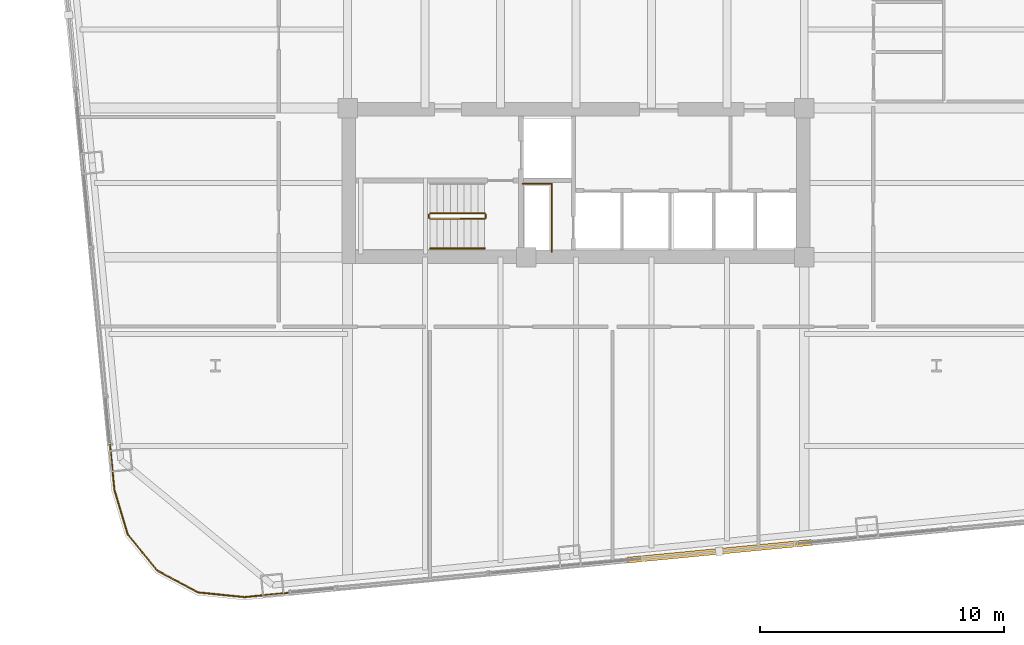
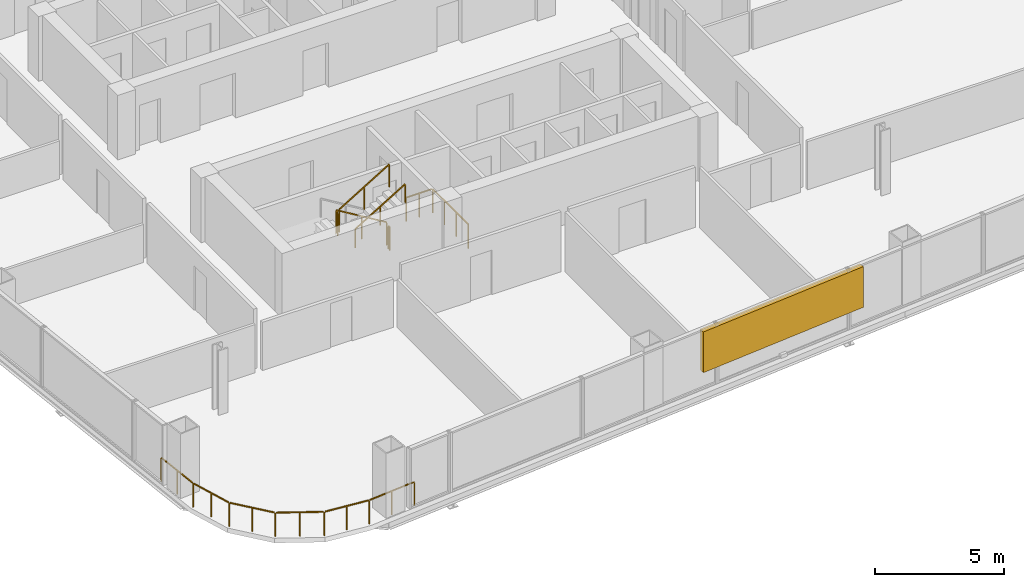
# One storey, part 26 of 28: 7 railings, 1 shading device.
"""IFC4 building model written with IfcOpenShell, lengths in metres."""

from ifc_helpers import new_model, si_unit, direction, frame, origin, origin_2d, place, context, subcontext, project, spatial, rectangle, extrude, material, type_object, element, save


model = new_model("IFC4")

# Units and contexts
model_context = context("Model", 3, precision=1e-05, world=origin(), true_north=direction((0.0, 1.0)))
body_context = subcontext(model_context, "Body", "Model", "MODEL_VIEW")
ifc_project = project(units=[si_unit("LENGTHUNIT", "METRE"), si_unit("AREAUNIT", "SQUARE_METRE"), si_unit("VOLUMEUNIT", "CUBIC_METRE"), si_unit("PLANEANGLEUNIT", "RADIAN"), si_unit("MASSUNIT", "GRAM", prefix="KILO")], contexts=[model_context])

# Site, building, storey
site_placement = place(None, origin())
site = spatial("IfcSite", under=ifc_project, at=site_placement, CompositionType="ELEMENT")
building_placement = place(site_placement, origin())
building = spatial("IfcBuilding", under=site, at=building_placement, Name="Qhalaya Broadcast Tower", CompositionType="ELEMENT")
storey_placement = place(building_placement, frame((0.0, 0.0, 90.800048828125)))
storey = spatial("IfcBuildingStorey", under=building, at=storey_placement, Name="L26", CompositionType="ELEMENT", Elevation=90.800048828125)

# Railings
ifc_material_1 = material(Name="Powder-Coated Galvanised Steel", Category="steel")
railing_type_1 = type_object("IfcRailingType", Name="Stair Wall Handrail 900", PredefinedType="HANDRAIL", material=ifc_material_1)
railing_1_placement = place(storey_placement, frame((-5.989990234375, -8.389892578125, 1.6943359375)))
element("IfcRailing", 1, at=railing_1_placement, inside=storey, type_object=railing_type_1, Name="L26 ST-2 Stair Handrail 2", PredefinedType="HANDRAIL", context=body_context, shape_type="SweptSolid", body=[
    extrude(rectangle(XDim=0.048095703125, YDim=0.048095703125, at=origin_2d()), frame((0.0, 0.0, 0.8759765625), z_axis=(0.855512035549, 0.0, 0.517782924622), x_axis=(0.0, 1.0, 0.0)), (0.0, 0.0, 1.0), 2.618408203125),
    extrude(rectangle(XDim=0.0419921875, YDim=0.0419921875, at=origin_2d()), origin(), (0.0, 0.0, 1.0), 0.849853515625),
    extrude(rectangle(XDim=0.0419921875, YDim=0.0419921875, at=origin_2d()), frame((1.1201171875, 0.0, 0.677734375)), (0.0, 0.0, 1.0), 0.849853515625),
    extrude(rectangle(XDim=0.0419921875, YDim=0.0419921875, at=origin_2d()), frame((2.239990234375, 0.0, 1.355712890625)), (0.0, 0.0, 1.0), 0.849853515625),
])
railing_type_2 = type_object("IfcRailingType", Name="Stair Well & Landing Guardrail 1100", PredefinedType="GUARDRAIL", material=ifc_material_1)
railing_2_placement = place(storey_placement, frame((-1.0, -8.52001953125, 0.0)))
element("IfcRailing", 2, at=railing_2_placement, inside=storey, type_object=railing_type_2, Name="L26 Service Riser Opening Safety Guard SRSR", PredefinedType="GUARDRAIL", context=body_context, shape_type="SweptSolid", body=[
    extrude(rectangle(XDim=0.048095703125, YDim=0.048095703125, at=origin_2d()), frame((0.0, 0.0, 1.1259765625), z_axis=(0.0, 1.0, 0.0), x_axis=(-1.0, 0.0, 0.0)), (0.0, 0.0, 1.0), 2.751220703125),
    extrude(rectangle(XDim=0.048095703125, YDim=0.048095703125, at=origin_2d()), frame((-0.02880859375, 2.780029296875, 1.1259765625), z_axis=(-1.0, 0.0, 0.0), x_axis=(0.0, -1.0, 0.0)), (0.0, 0.0, 1.0), 1.151123046875),
    extrude(rectangle(XDim=0.0419921875, YDim=0.0419921875, at=origin_2d()), origin(), (0.0, 0.0, 1.0), 1.099853515625),
    extrude(rectangle(XDim=0.0419921875, YDim=0.0419921875, at=origin_2d()), frame((0.0, 0.9267578125, 0.0)), (0.0, 0.0, 1.0), 1.099853515625),
    extrude(rectangle(XDim=0.0419921875, YDim=0.0419921875, at=origin_2d()), frame((0.0, 1.853271484375, 0.0)), (0.0, 0.0, 1.0), 1.099853515625),
    extrude(rectangle(XDim=0.0419921875, YDim=0.0419921875, at=origin_2d()), frame((0.0, 2.780029296875, 0.0)), (0.0, 0.0, 1.0), 1.099853515625),
    extrude(rectangle(XDim=0.0419921875, YDim=0.0419921875, at=origin_2d()), frame((-0.58984375, 2.780029296875, 0.0)), (0.0, 0.0, 1.0), 1.099853515625),
    extrude(rectangle(XDim=0.0419921875, YDim=0.0419921875, at=origin_2d()), frame((-1.179931640625, 2.780029296875, 0.0)), (0.0, 0.0, 1.0), 1.099853515625),
])
railing_3_placement = place(storey_placement, frame((-3.75, -6.949951171875, 0.16943359375)))
element("IfcRailing", 3, at=railing_3_placement, inside=storey, type_object=railing_type_2, Name="L26 ST-2 Stair Guard 1", PredefinedType="GUARDRAIL", context=body_context, shape_type="SweptSolid", body=[
    extrude(rectangle(XDim=0.048095703125, YDim=0.048095703125, at=origin_2d()), frame((0.0, 0.0, 1.076171875), z_axis=(-0.855553338991, 0.0, 0.51771467445), x_axis=(0.0, -1.0, 0.0)), (0.0, 0.0, 1.0), 2.6181640625),
    extrude(rectangle(XDim=0.0419921875, YDim=0.0419921875, at=origin_2d()), origin(), (0.0, 0.0, 1.0), 1.050048828125),
    extrude(rectangle(XDim=0.0419921875, YDim=0.0419921875, at=origin_2d()), frame((-1.1201171875, 0.0, 0.677734375)), (0.0, 0.0, 1.0), 1.050048828125),
    extrude(rectangle(XDim=0.0419921875, YDim=0.0419921875, at=origin_2d()), frame((-2.239990234375, 0.0, 1.35546875)), (0.0, 0.0, 1.0), 1.050048828125),
])
railing_4_placement = place(storey_placement, frame((-6.0400390625, -7.0, 1.52490234375)))
element("IfcRailing", 4, at=railing_4_placement, inside=storey, type_object=railing_type_2, Name="L26 ST-2 Stair Guard 2", PredefinedType="GUARDRAIL", context=body_context, shape_type="SweptSolid", body=[
    extrude(rectangle(XDim=0.048095703125, YDim=0.048095703125, at=origin_2d()), frame((0.0, 0.0, 1.076171875), z_axis=(0.0, -1.0, 0.0), x_axis=(1.0, 0.0, 0.0)), (0.0, 0.0, 1.0), 0.1201171875),
    extrude(rectangle(XDim=0.0419921875, YDim=0.0419921875, at=origin_2d()), origin(), (0.0, 0.0, 1.0), 1.050048828125),
    extrude(rectangle(XDim=0.0419921875, YDim=0.0419921875, at=origin_2d()), frame((0.0, -0.1201171875, 0.0)), (0.0, 0.0, 1.0), 1.050048828125),
])
railing_5_placement = place(storey_placement, frame((-5.989990234375, -7.169921875, 1.6943359375)))
element("IfcRailing", 5, at=railing_5_placement, inside=storey, type_object=railing_type_2, Name="L26 ST-2 Stair Guard 3", PredefinedType="GUARDRAIL", context=body_context, shape_type="SweptSolid", body=[
    extrude(rectangle(XDim=0.048095703125, YDim=0.048095703125, at=origin_2d()), frame((0.0, 0.0, 1.076171875), z_axis=(0.855512035549, 0.0, 0.517782924622), x_axis=(0.0, 1.0, 0.0)), (0.0, 0.0, 1.0), 2.618408203125),
    extrude(rectangle(XDim=0.0419921875, YDim=0.0419921875, at=origin_2d()), origin(), (0.0, 0.0, 1.0), 1.050048828125),
    extrude(rectangle(XDim=0.0419921875, YDim=0.0419921875, at=origin_2d()), frame((1.1201171875, 0.0, 0.677734375)), (0.0, 0.0, 1.0), 1.050048828125),
    extrude(rectangle(XDim=0.0419921875, YDim=0.0419921875, at=origin_2d()), frame((2.239990234375, 0.0, 1.355712890625)), (0.0, 0.0, 1.0), 1.050048828125),
])
railing_6_placement = place(storey_placement, frame((-3.699951171875, -7.0, 0.0)))
element("IfcRailing", 6, at=railing_6_placement, inside=storey, type_object=railing_type_2, Name="L26 ST-2 Stair Guard 4", PredefinedType="GUARDRAIL", context=body_context, shape_type="SweptSolid", body=[
    extrude(rectangle(XDim=0.048095703125, YDim=0.048095703125, at=origin_2d()), frame((0.0, 0.0, 1.076171875), z_axis=(0.0, -1.0, 0.0), x_axis=(1.0, 0.0, 0.0)), (0.0, 0.0, 1.0), 0.1201171875),
    extrude(rectangle(XDim=0.0419921875, YDim=0.0419921875, at=origin_2d()), origin(), (0.0, 0.0, 1.0), 1.050048828125),
    extrude(rectangle(XDim=0.0419921875, YDim=0.0419921875, at=origin_2d()), frame((0.0, -0.1201171875, 0.0)), (0.0, 0.0, 1.0), 1.050048828125),
])
railing_type_3 = type_object("IfcRailingType", Name="Terrace, Sky-Pool & Lookout Glass Balustrade 1150", PredefinedType="BALUSTRADE", material=ifc_material_1)
railing_7_placement = place(storey_placement, frame((-11.50341796875, -22.501708984375, 0.0)))
element("IfcRailing", 7, at=railing_7_placement, inside=storey, type_object=railing_type_3, Name="L26 Rounded Corner Perimeter Guard 02", PredefinedType="BALUSTRADE", context=body_context, shape_type="SweptSolid", body=[
    extrude(rectangle(XDim=0.048095703125, YDim=0.048095703125, at=origin_2d()), frame((0.0, 0.0, 1.1259765625), z_axis=(-0.995402268864, -0.095782687057, 0.0), x_axis=(0.095782687057, -0.995402268864, 0.0)), (0.0, 0.0, 1.0), 2.08935546875),
    extrude(rectangle(XDim=0.048095703125, YDim=0.048095703125, at=origin_2d()), frame((-2.13720703125, -0.199951171875, 1.1259765625), z_axis=(-0.994978953282, 0.100084377028, 0.0), x_axis=(-0.100084377028, -0.994978953282, 0.0)), (0.0, 0.0, 1.0), 1.857177734375),
    extrude(rectangle(XDim=0.048095703125, YDim=0.048095703125, at=origin_2d()), frame((-4.0390625, 0.00244140625, 1.1259765625), z_axis=(-0.880907290044, 0.473288861424, 0.0), x_axis=(-0.473288861424, -0.880907290044, 0.0)), (0.0, 0.0, 1.0), 1.845703125),
    extrude(rectangle(XDim=0.048095703125, YDim=0.048095703125, at=origin_2d()), frame((-5.708740234375, 0.912109375, 1.1259765625), z_axis=(-0.632671796541, 0.774420039683, 0.0), x_axis=(-0.774420039683, -0.632671796541, 0.0)), (0.0, 0.0, 1.0), 1.845458984375),
    extrude(rectangle(XDim=0.048095703125, YDim=0.048095703125, at=origin_2d()), frame((-6.90283203125, 2.39111328125, 1.1259765625), z_axis=(-0.288213171456, 0.95756627332, 0.0), x_axis=(-0.95756627332, -0.288213171456, 0.0)), (0.0, 0.0, 1.0), 1.857421875),
    extrude(rectangle(XDim=0.048095703125, YDim=0.048095703125, at=origin_2d()), frame((-7.44921875, 4.226318359375, 1.1259765625), z_axis=(-0.095782687057, 0.995402268864, 0.0), x_axis=(-0.995402268864, -0.095782687057, 0.0)), (0.0, 0.0, 1.0), 2.08935546875),
    extrude(rectangle(XDim=0.0419921875, YDim=0.0419921875, at=origin_2d()), origin(), (0.0, 0.0, 1.0), 1.099853515625),
    extrude(rectangle(XDim=0.0419921875, YDim=0.0419921875, at=origin_2d()), frame((-1.05419921875, -0.1015625, 0.0)), (0.0, 0.0, 1.0), 1.099853515625),
    extrude(rectangle(XDim=0.0419921875, YDim=0.0419921875, at=origin_2d()), frame((-2.1083984375, -0.202880859375, 0.0)), (0.0, 0.0, 1.0), 1.099853515625),
    extrude(rectangle(XDim=0.0419921875, YDim=0.0419921875, at=origin_2d()), frame((-3.06103515625, -0.10693359375, 0.0)), (0.0, 0.0, 1.0), 1.099853515625),
    extrude(rectangle(XDim=0.0419921875, YDim=0.0419921875, at=origin_2d()), frame((-4.013671875, -0.01123046875, 0.0)), (0.0, 0.0, 1.0), 1.099853515625),
    extrude(rectangle(XDim=0.0419921875, YDim=0.0419921875, at=origin_2d()), frame((-4.85205078125, 0.439208984375, 0.0)), (0.0, 0.0, 1.0), 1.099853515625),
    extrude(rectangle(XDim=0.0419921875, YDim=0.0419921875, at=origin_2d()), frame((-5.6904296875, 0.8896484375, 0.0)), (0.0, 0.0, 1.0), 1.099853515625),
    extrude(rectangle(XDim=0.0419921875, YDim=0.0419921875, at=origin_2d()), frame((-6.29248046875, 1.62646484375, 0.0)), (0.0, 0.0, 1.0), 1.099853515625),
    extrude(rectangle(XDim=0.0419921875, YDim=0.0419921875, at=origin_2d()), frame((-6.89453125, 2.363525390625, 0.0)), (0.0, 0.0, 1.0), 1.099853515625),
    extrude(rectangle(XDim=0.0419921875, YDim=0.0419921875, at=origin_2d()), frame((-7.17041015625, 3.280517578125, 0.0)), (0.0, 0.0, 1.0), 1.099853515625),
    extrude(rectangle(XDim=0.0419921875, YDim=0.0419921875, at=origin_2d()), frame((-7.446533203125, 4.197509765625, 0.0)), (0.0, 0.0, 1.0), 1.099853515625),
    extrude(rectangle(XDim=0.0419921875, YDim=0.0419921875, at=origin_2d()), frame((-7.5478515625, 5.251708984375, 0.0)), (0.0, 0.0, 1.0), 1.099853515625),
    extrude(rectangle(XDim=0.0419921875, YDim=0.0419921875, at=origin_2d()), frame((-7.6494140625, 6.305908203125, 0.0)), (0.0, 0.0, 1.0), 1.099853515625),
])

# Shading device
ifc_material_2 = material(Name="Fired Architectural Terracotta", Category="masonry")
shading_device_type = type_object("IfcShadingDeviceType", Name="Terracotta Baguette Solar Screen Assembly TBS-01", PredefinedType="USERDEFINED", material=ifc_material_2)
shading_device_placement = place(storey_placement, frame((5.88623046875, -20.827392578125, 0.79248046875), z_axis=(0.0, 0.0, 1.0), x_axis=(0.995396198367, 0.09584575252, 0.0)))
element("IfcShadingDevice", 8, at=shading_device_placement, inside=storey, type_object=shading_device_type, Name="L26 Fired Terracotta Baguette Screen S", ObjectType="BAGUETTE", PredefinedType="USERDEFINED", context=body_context, shape_type="SweptSolid", body=[
    extrude(rectangle(XDim=7.60009765625, YDim=0.239990234375, at=origin_2d()), origin(), (0.0, 0.0, 1.0), 1.924072265625),
])

save(model, "model.ifc")
